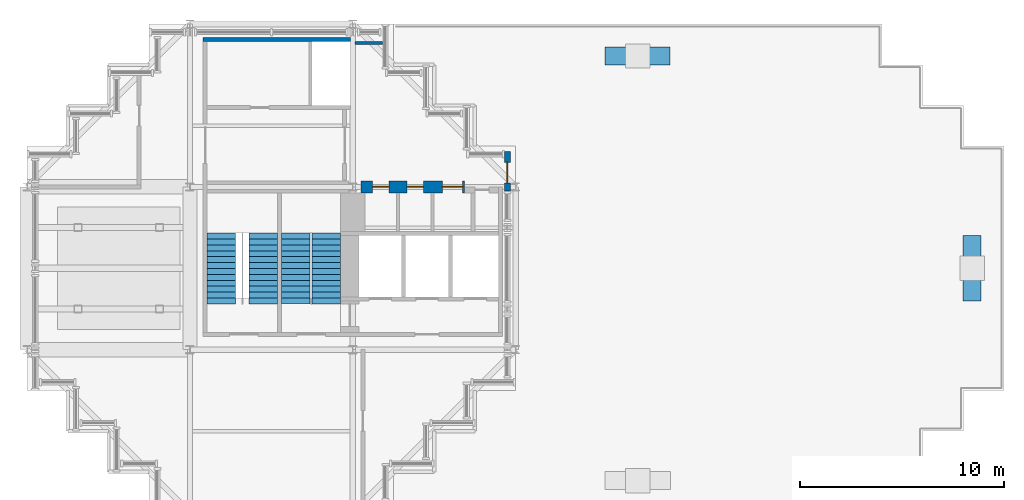
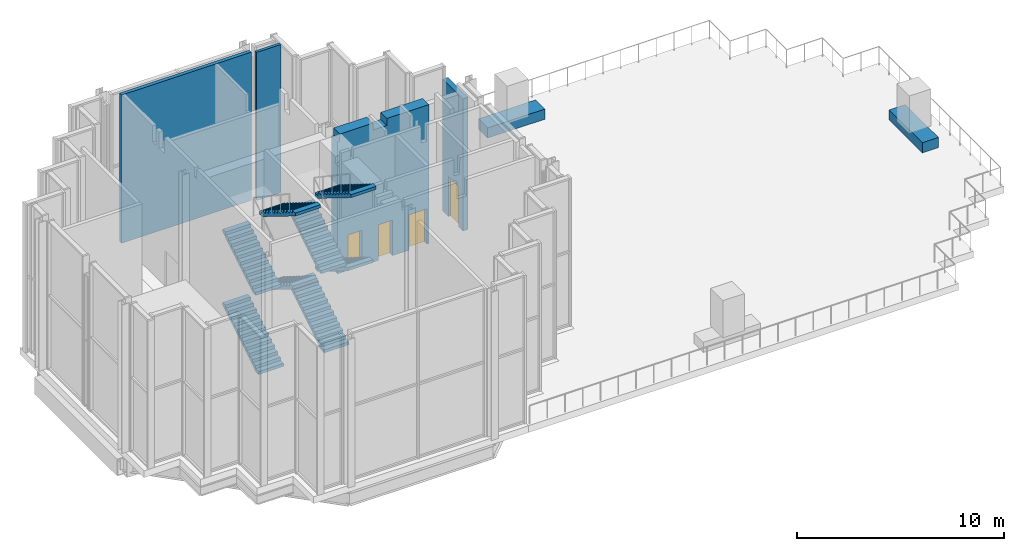
# One storey, part 13 of 15: 8 stair flights, 6 walls, 4 doors, 4 openings, 2 elements without a shape of their own.
"""IFC4 building model written with IfcOpenShell, lengths in metres."""

from ifc_helpers import new_model, si_unit, direction, frame, frame_2d, origin, place, context, subcontext, project, spatial, polyline, rectangle, outline, extrude, material, layer, layer_set, type_object, element, fill, aggregate, save


model = new_model("IFC4")

# Units and contexts
model_context = context("Model", 3, precision=1e-05, world=origin(), true_north=direction((0.0, 1.0)))
body_context = subcontext(model_context, "Body", "Model", "MODEL_VIEW")
ifc_project = project(units=[si_unit("LENGTHUNIT", "METRE"), si_unit("AREAUNIT", "SQUARE_METRE"), si_unit("VOLUMEUNIT", "CUBIC_METRE"), si_unit("PLANEANGLEUNIT", "RADIAN"), si_unit("MASSUNIT", "GRAM", prefix="KILO")], contexts=[model_context])

# Site, building, storey
site_placement = place(None, origin())
site = spatial("IfcSite", under=ifc_project, at=site_placement, CompositionType="ELEMENT")
building_placement = place(site_placement, origin())
building = spatial("IfcBuilding", under=site, at=building_placement, Name="Immortelle Media Tower", CompositionType="ELEMENT")
storey_placement = place(building_placement, frame((0.0, 0.0, 299.0)))
storey = spatial("IfcBuildingStorey", under=building, at=storey_placement, Name="L66", CompositionType="ELEMENT", Elevation=299.0)

# Wall, openings, doors
ifc_material_1 = material(Name="Fire-rated masonry blockwork", Category="masonry")
ifc_layer_1 = layer(ifc_material_1, 0.60009765625)
ifc_layer_set_1 = layer_set([ifc_layer_1], Name="Fire-rated masonry blockwork")
wall_type_1 = type_object("IfcWallType", Name="Core grid-line wall 600", PredefinedType="PARTITIONING", material=ifc_layer_set_1)
wall_1_placement = place(storey_placement, frame((16.39990234375, 16.0, 0.0), z_axis=(0.0, 0.0, 1.0), x_axis=(1.0, 0.0, 0.0)))
wall_1 = element("IfcWall", 1, at=wall_1_placement, inside=storey, type_object=wall_type_1, Name="Core grid-line wall SW", PredefinedType="PARTITIONING", context=body_context, shape_type="SweptSolid", body=[
    extrude(outline(polyline([(0.0, 0.0), (5.10009765625, 0.0), (5.10009765625, 8.2080078125), (2.75390625, 8.2080078125), (2.7529296875, 7.7939453125), (1.974853515625, 7.7939453125), (1.973876953125, 8.2080078125), (0.121337890625, 8.2080078125), (0.120361328125, 7.7939453125), (0.0, 7.7939453125), (0.0, 0.0)])), frame((0.0, 0.300048828125, 0.0), z_axis=(0.0, -1.0, 0.0), x_axis=(1.0, 0.0, 0.0)), (0.0, 0.0, 1.0), 0.60009765625),
])
opening_1_placement = place(wall_1_placement, frame((1.375, 0.0, 0.0), z_axis=(0.0, 0.0, 1.0), x_axis=(-1.0, 0.0, 0.0)))
opening_1 = element("IfcOpeningElement", 2, at=opening_1_placement, cuts=wall_1, Name="Opening L66-K008", PredefinedType="OPENING", context=body_context, shape_type="SweptSolid", body=[
    extrude(rectangle(XDim=0.800048828125, YDim=2.10009765625, at=frame_2d((0.39990234375, 1.050048828125))), frame((0.0, 0.31005859375, 0.0), z_axis=(0.0, -1.0, 0.0), x_axis=(1.0, 0.0, 0.0)), (0.0, 0.0, 1.0), 0.6201171875),
])
opening_2_placement = place(wall_1_placement, frame((3.074951171875, 0.0, 0.0), z_axis=(0.0, 0.0, 1.0), x_axis=(-1.0, 0.0, 0.0)))
opening_2 = element("IfcOpeningElement", 3, at=opening_2_placement, cuts=wall_1, Name="Opening L66-K009", PredefinedType="OPENING", context=body_context, shape_type="SweptSolid", body=[
    extrude(rectangle(XDim=0.800048828125, YDim=2.10009765625, at=frame_2d((0.39990234375, 1.050048828125))), frame((0.0, 0.31005859375, 0.0), z_axis=(0.0, -1.0, 0.0), x_axis=(1.0, 0.0, 0.0)), (0.0, 0.0, 1.0), 0.6201171875),
])
opening_3_placement = place(wall_1_placement, frame((5.0, 0.0, 0.0), z_axis=(0.0, 0.0, 1.0), x_axis=(-1.0, 0.0, 0.0)))
opening_3 = element("IfcOpeningElement", 4, at=opening_3_placement, cuts=wall_1, Name="Opening L66-K012", PredefinedType="OPENING", context=body_context, shape_type="SweptSolid", body=[
    extrude(rectangle(XDim=1.0, YDim=2.10009765625, at=frame_2d((0.5, 1.050048828125))), frame((0.0, 0.31005859375, 0.0), z_axis=(0.0, -1.0, 0.0), x_axis=(1.0, 0.0, 0.0)), (0.0, 0.0, 1.0), 0.6201171875),
])
ifc_material_2 = material(Name="Timber", Category="wood")
door_type_1 = type_object("IfcDoorType", Name="Accessible toilet door 1000 x 2100", OperationType="NOTDEFINED", PredefinedType="NOTDEFINED", material=ifc_material_2)
door_1_placement = place(opening_3_placement, origin())
door_1 = element("IfcDoor", 5, at=door_1_placement, inside=storey, type_object=door_type_1, Name="Accessible toilet L66-K012", OperationType="SINGLE_SWING_LEFT", OverallHeight=2.10009765625, OverallWidth=1.0, PredefinedType="NOTDEFINED", context=body_context, shape_type="SweptSolid", body=[
    extrude(rectangle(XDim=1.0, YDim=2.10009765625, at=frame_2d((0.5, 1.050048828125))), frame((0.0, 0.02490234375, 0.0), z_axis=(0.0, -1.0, 0.0), x_axis=(1.0, 0.0, 0.0)), (0.0, 0.0, 1.0), 0.050048828125),
])
fill(opening_3, door_1)
door_type_2 = type_object("IfcDoorType", Name="Toilet door 800 x 2100", OperationType="NOTDEFINED", PredefinedType="NOTDEFINED", material=ifc_material_2)
door_2_placement = place(opening_1_placement, origin())
door_2 = element("IfcDoor", 6, at=door_2_placement, inside=storey, type_object=door_type_2, Name="Toilet L66-K008", OperationType="SINGLE_SWING_LEFT", OverallHeight=2.10009765625, OverallWidth=0.800048828125, PredefinedType="NOTDEFINED", context=body_context, shape_type="SweptSolid", body=[
    extrude(rectangle(XDim=0.800048828125, YDim=2.10009765625, at=frame_2d((0.39990234375, 1.050048828125))), frame((0.0, 0.02490234375, 0.0), z_axis=(0.0, -1.0, 0.0), x_axis=(1.0, 0.0, 0.0)), (0.0, 0.0, 1.0), 0.050048828125),
])
fill(opening_1, door_2)
door_3_placement = place(opening_2_placement, origin())
door_3 = element("IfcDoor", 7, at=door_3_placement, inside=storey, type_object=door_type_2, Name="Toilet L66-K009", OperationType="SINGLE_SWING_RIGHT", OverallHeight=2.10009765625, OverallWidth=0.800048828125, PredefinedType="NOTDEFINED", context=body_context, shape_type="SweptSolid", body=[
    extrude(rectangle(XDim=0.800048828125, YDim=2.10009765625, at=frame_2d((0.39990234375, 1.050048828125))), frame((0.0, 0.02490234375, 0.0), z_axis=(0.0, -1.0, 0.0), x_axis=(1.0, 0.0, 0.0)), (0.0, 0.0, 1.0), 0.050048828125),
])
fill(opening_2, door_3)

# Walls
ifc_material_3 = material(Name="Fire-rated gypsum board", Category="gypsum")
ifc_layer_2 = layer(ifc_material_3, 0.02490234375)
ifc_material_4 = material(Name="Steel ASTM A653 SS Gr 50 stud frame with mineral wool", Category="steel")
ifc_layer_3 = layer(ifc_material_4, 0.10009765625)
ifc_layer_4 = layer(ifc_material_3, 0.02490234375)
ifc_layer_set_2 = layer_set([ifc_layer_2, ifc_layer_3, ifc_layer_4], Name="Steel ASTM A653 SS Gr 50 stud frame with mineral wool")
wall_type_2 = type_object("IfcWallType", Name="Core partition 150", PredefinedType="PARTITIONING", material=ifc_layer_set_2)
wall_2_placement = place(storey_placement, frame((16.10009765625, 23.074951171875, 0.0), z_axis=(0.0, 0.0, 1.0), x_axis=(1.0, 0.0, 0.0)))
element("IfcWall", 8, at=wall_2_placement, inside=storey, type_object=wall_type_2, Name="Core partition SW", PredefinedType="PARTITIONING", context=body_context, shape_type="SweptSolid", body=[
    extrude(rectangle(XDim=1.349853515625, YDim=0.14990234375, at=frame_2d((0.6748046875, 0.0))), origin(), (0.0, 0.0, 1.0), 8.75),
])
ifc_layer_5 = layer(ifc_material_3, 0.03759765625)
ifc_layer_6 = layer(ifc_material_4, 0.125)
ifc_layer_7 = layer(ifc_material_3, 0.03759765625)
ifc_layer_set_3 = layer_set([ifc_layer_5, ifc_layer_6, ifc_layer_7], Name="Steel ASTM A653 SS Gr 50 stud frame with mineral wool")
wall_type_3 = type_object("IfcWallType", Name="Core shaft wall 200", PredefinedType="PARTITIONING", material=ifc_layer_set_3)
wall_3_placement = place(storey_placement, frame((8.64990234375, 23.25, 0.0), z_axis=(0.0, 0.0, 1.0), x_axis=(1.0, 0.0, 0.0)))
element("IfcWall", 9, at=wall_3_placement, inside=storey, type_object=wall_type_3, Name="Core shaft wall SW", PredefinedType="PARTITIONING", context=body_context, shape_type="SweptSolid", body=[
    extrude(rectangle(XDim=7.25, YDim=0.199951171875, at=frame_2d((3.625, 0.0))), origin(), (0.0, 0.0, 1.0), 8.75),
])

# Wall, opening, door
ifc_material_5 = material(Name="Pale aluminium cladding panel", Category="aluminium")
ifc_layer_8 = layer(ifc_material_5, 0.030029296875)
ifc_layer_9 = layer(ifc_material_4, 0.257568359375)
ifc_material_6 = material(Name="Moisture-resistant gypsum board", Category="gypsum")
ifc_layer_10 = layer(ifc_material_6, 0.012451171875)
ifc_layer_set_4 = layer_set([ifc_layer_8, ifc_layer_9, ifc_layer_10], Name="Steel ASTM A653 SS Gr 50 stud frame with mineral wool")
wall_type_4 = type_object("IfcWallType", Name="Pale metal clad wall 300", PredefinedType="STANDARD", material=ifc_layer_set_4)
wall_4_placement = place(storey_placement, frame((23.60009765625, 15.800048828125, 0.0), z_axis=(0.0, 0.0, 1.0), x_axis=(0.0, 1.0, 0.0)))
wall_4 = element("IfcWall", 10, at=wall_4_placement, inside=storey, type_object=wall_type_4, Name="Damper hall wall L66 E 7-8", PredefinedType="STANDARD", context=body_context, shape_type="SweptSolid", body=[
    extrude(rectangle(XDim=1.949951171875, YDim=0.300048828125, at=frame_2d((0.97509765625, 0.0))), origin(), (0.0, 0.0, 1.0), 7.794921875),
])
opening_4_placement = place(wall_4_placement, frame((1.39990234375, 0.0, 0.0), z_axis=(0.0, 0.0, 1.0), x_axis=(-1.0, 0.0, 0.0)))
opening_4 = element("IfcOpeningElement", 11, at=opening_4_placement, cuts=wall_4, Name="Opening L66-E01", PredefinedType="OPENING", context=body_context, shape_type="SweptSolid", body=[
    extrude(rectangle(XDim=1.0, YDim=2.39990234375, at=frame_2d((0.5, 1.199951171875))), frame((0.0, 0.159912109375, 0.0), z_axis=(0.0, -1.0, 0.0), x_axis=(1.0, 0.0, 0.0)), (0.0, 0.0, 1.0), 0.320068359375),
])
ifc_material_7 = material(Name="Aluminium frame, double glazed 6-16-6 low-e", Category="aluminium")
door_type_3 = type_object("IfcDoorType", Name="Terrace door 1000", OperationType="NOTDEFINED", PredefinedType="DOOR", material=ifc_material_7)
door_4_placement = place(opening_4_placement, origin())
door_4 = element("IfcDoor", 12, at=door_4_placement, inside=storey, type_object=door_type_3, Name="Terrace door L66-E01", OperationType="SINGLE_SWING_RIGHT", OverallHeight=2.39990234375, OverallWidth=1.0, PredefinedType="DOOR", context=body_context, shape_type="SweptSolid", body=[
    extrude(rectangle(XDim=1.0, YDim=2.39990234375, at=frame_2d((0.5, 1.199951171875))), frame((0.0, 0.02490234375, 0.0), z_axis=(0.0, -1.0, 0.0), x_axis=(1.0, 0.0, 0.0)), (0.0, 0.0, 1.0), 0.050048828125),
])
fill(opening_4, door_4)

# Walls
ifc_layer_11 = layer(ifc_material_5, 0.0029296875)
ifc_material_8 = material(Name="Steel ASTM A572 Gr 50 planter shell", Category="steel")
ifc_layer_12 = layer(ifc_material_8, 0.011962890625)
ifc_material_9 = material(Name="Planting substrate", Category="soil")
ifc_layer_13 = layer(ifc_material_9, 0.873046875)
ifc_layer_14 = layer(ifc_material_8, 0.011962890625)
ifc_layer_set_5 = layer_set([ifc_layer_11, ifc_layer_12, ifc_layer_13, ifc_layer_14], Name="Steel ASTM A572 Gr 50 planter shell")
wall_type_5 = type_object("IfcWallType", Name="Planter wall 900", PredefinedType="SOLIDWALL", material=ifc_layer_set_5)
for number, where, z_axis, x_axis, name in (
    (13, (28.39990234375, 22.429931640625, 0.0), (0.0, 0.0, 1.0), (1.0, 0.0, 0.0), "Terrace planter L66 SE0.0-1"),
    (14, (46.429931640625, 13.60009765625, 0.0), (0.0, 0.0, 1.0), (0.0, -1.0, 0.0), "Terrace planter L66 SE0.0-2"),
):
    element("IfcWall", number, at=place(storey_placement, frame(where, z_axis=z_axis, x_axis=x_axis)), inside=storey, type_object=wall_type_5, Name=name, PredefinedType="SOLIDWALL", context=body_context, shape_type="SweptSolid", body=[
        extrude(rectangle(XDim=3.2001953125, YDim=0.89990234375, at=frame_2d((1.60009765625, 0.0))), origin(), (0.0, 0.0, 1.0), 0.60009765625),
    ])

# Stair, stair flights
ifc_material_10 = material(Name="Steel ASTM A992 Gr 50", Category="steel")
stair_type = type_object("IfcStairType", Name="Stair with flights", PredefinedType="DOUBLE_RETURN_STAIR", material=ifc_material_10)
stair_1_placement = place(storey_placement, origin())
stair_1 = element("IfcStair", 15, at=stair_1_placement, inside=storey, type_object=stair_type, Name="Exit stair SW1", PredefinedType="DOUBLE_RETURN_STAIR")
stair_flight_type = type_object("IfcStairFlightType", Name="Stair flight 1400", PredefinedType="STRAIGHT", material=ifc_material_10)
stair_flight_1_placement = place(storey_placement, frame((9.550048828125, 10.25, 0.0), z_axis=(0.0, 0.0, 1.0), x_axis=(0.0, 1.0, 0.0)))
stair_flight_1 = element("IfcStairFlight", 16, at=stair_flight_1_placement, type_object=stair_flight_type, Name="ST SW1 flight 1", NumberOfRisers=13, NumberOfTreads=12, PredefinedType="STRAIGHT", RiserHeight=0.18, TreadLength=0.29, context=body_context, shape_type="SweptSolid", body=[
    extrude(outline(polyline([(0.0, 0.0), (0.0, 0.179931640625), (0.2900390625, 0.179931640625), (0.2900390625, 0.360107421875), (0.580078125, 0.360107421875), (0.580078125, 0.5400390625), (0.8701171875, 0.5400390625), (0.8701171875, 0.719970703125), (1.159912109375, 0.719970703125), (1.159912109375, 0.89990234375), (1.449951171875, 0.89990234375), (1.449951171875, 1.080078125), (1.739990234375, 1.080078125), (1.739990234375, 1.260009765625), (2.030029296875, 1.260009765625), (2.030029296875, 1.43994140625), (2.320068359375, 1.43994140625), (2.320068359375, 1.6201171875), (2.610107421875, 1.6201171875), (2.610107421875, 1.800048828125), (2.89990234375, 1.800048828125), (2.89990234375, 1.97998046875), (3.18994140625, 1.97998046875), (3.18994140625, 2.159912109375), (3.47998046875, 2.159912109375), (3.47998046875, 2.340087890625), (3.47998046875, 1.983642578125), (0.2841796875, 0.0), (0.0, 0.0)])), frame((0.0, 0.699951171875, 0.0), z_axis=(0.0, -1.0, 0.0), x_axis=(1.0, 0.0, 0.0)), (0.0, 0.0, 1.0), 1.39990234375),
])
stair_flight_2_placement = place(storey_placement, frame((11.60009765625, 13.72998046875, 2.340087890625), z_axis=(0.0, 0.0, 1.0), x_axis=(0.0, -1.0, 0.0)))
stair_flight_2 = element("IfcStairFlight", 17, at=stair_flight_2_placement, type_object=stair_flight_type, Name="ST SW1 flight 2", NumberOfRisers=12, NumberOfTreads=11, PredefinedType="STRAIGHT", RiserHeight=0.18, TreadLength=0.29, context=body_context, shape_type="SweptSolid", body=[
    extrude(outline(polyline([(0.0, 0.0), (0.0, 0.179931640625), (0.2900390625, 0.179931640625), (0.2900390625, 0.360107421875), (0.580078125, 0.360107421875), (0.580078125, 0.5400390625), (0.8701171875, 0.5400390625), (0.8701171875, 0.719970703125), (1.159912109375, 0.719970703125), (1.159912109375, 0.89990234375), (1.449951171875, 0.89990234375), (1.449951171875, 1.080078125), (1.739990234375, 1.080078125), (1.739990234375, 1.260009765625), (2.030029296875, 1.260009765625), (2.030029296875, 1.43994140625), (2.320068359375, 1.43994140625), (2.320068359375, 1.6201171875), (2.610107421875, 1.6201171875), (2.610107421875, 1.800048828125), (2.89990234375, 1.800048828125), (2.89990234375, 1.97998046875), (3.18994140625, 1.97998046875), (3.18994140625, 2.159912109375), (3.18994140625, 1.803466796875), (0.2841796875, 0.0), (0.0, 0.0)])), frame((0.0, 0.699951171875, 0.0), z_axis=(0.0, -1.0, 0.0), x_axis=(1.0, 0.0, 0.0)), (0.0, 0.0, 1.0), 1.39990234375),
])
stair_flight_3_placement = place(storey_placement, frame((9.550048828125, 10.5400390625, 4.5), z_axis=(0.0, 0.0, 1.0), x_axis=(0.0, 1.0, 0.0)))
stair_flight_3 = element("IfcStairFlight", 18, at=stair_flight_3_placement, type_object=stair_flight_type, Name="ST SW1 flight 3", NumberOfRisers=12, NumberOfTreads=11, PredefinedType="STRAIGHT", RiserHeight=0.18, TreadLength=0.29, context=body_context, shape_type="SweptSolid", body=[
    extrude(outline(polyline([(0.0, 0.0), (0.0, 0.179931640625), (0.2900390625, 0.179931640625), (0.2900390625, 0.360107421875), (0.580078125, 0.360107421875), (0.580078125, 0.5400390625), (0.8701171875, 0.5400390625), (0.8701171875, 0.719970703125), (1.159912109375, 0.719970703125), (1.159912109375, 0.89990234375), (1.449951171875, 0.89990234375), (1.449951171875, 1.080078125), (1.739990234375, 1.080078125), (1.739990234375, 1.260009765625), (2.030029296875, 1.260009765625), (2.030029296875, 1.43994140625), (2.320068359375, 1.43994140625), (2.320068359375, 1.6201171875), (2.610107421875, 1.6201171875), (2.610107421875, 1.800048828125), (2.89990234375, 1.800048828125), (2.89990234375, 1.97998046875), (3.18994140625, 1.97998046875), (3.18994140625, 2.159912109375), (3.18994140625, 1.803466796875), (0.2841796875, 0.0), (0.0, 0.0)])), frame((0.0, 0.699951171875, 0.0), z_axis=(0.0, -1.0, 0.0), x_axis=(1.0, 0.0, 0.0)), (0.0, 0.0, 1.0), 1.39990234375),
])
stair_flight_4_placement = place(storey_placement, frame((11.60009765625, 13.72998046875, 6.659912109375), z_axis=(0.0, 0.0, 1.0), x_axis=(0.0, -1.0, 0.0)))
stair_flight_4 = element("IfcStairFlight", 19, at=stair_flight_4_placement, type_object=stair_flight_type, Name="ST SW1 flight 4", NumberOfRisers=13, NumberOfTreads=12, PredefinedType="STRAIGHT", RiserHeight=0.18, TreadLength=0.29, context=body_context, shape_type="SweptSolid", body=[
    extrude(outline(polyline([(0.0, 0.0), (0.0, 0.179931640625), (0.2900390625, 0.179931640625), (0.2900390625, 0.360107421875), (0.580078125, 0.360107421875), (0.580078125, 0.5400390625), (0.8701171875, 0.5400390625), (0.8701171875, 0.719970703125), (1.159912109375, 0.719970703125), (1.159912109375, 0.89990234375), (1.449951171875, 0.89990234375), (1.449951171875, 1.080078125), (1.739990234375, 1.080078125), (1.739990234375, 1.260009765625), (2.030029296875, 1.260009765625), (2.030029296875, 1.43994140625), (2.320068359375, 1.43994140625), (2.320068359375, 1.6201171875), (2.610107421875, 1.6201171875), (2.610107421875, 1.800048828125), (2.89990234375, 1.800048828125), (2.89990234375, 1.97998046875), (3.18994140625, 1.97998046875), (3.18994140625, 2.159912109375), (3.47998046875, 2.159912109375), (3.47998046875, 2.340087890625), (3.47998046875, 1.983642578125), (0.2841796875, 0.0), (0.0, 0.0)])), frame((0.0, 0.699951171875, 0.0), z_axis=(0.0, -1.0, 0.0), x_axis=(1.0, 0.0, 0.0)), (0.0, 0.0, 1.0), 1.39990234375),
])
aggregate(stair_1, [stair_flight_1, stair_flight_2, stair_flight_3, stair_flight_4])

stair_2_placement = place(storey_placement, origin())
stair_2 = element("IfcStair", 20, at=stair_2_placement, inside=storey, type_object=stair_type, Name="Exit stair SW2", PredefinedType="DOUBLE_RETURN_STAIR")
stair_flight_5_placement = place(storey_placement, frame((13.199951171875, 10.25, 0.0), z_axis=(0.0, 0.0, 1.0), x_axis=(0.0, 1.0, 0.0)))
stair_flight_5 = element("IfcStairFlight", 21, at=stair_flight_5_placement, type_object=stair_flight_type, Name="ST SW2 flight 1", NumberOfRisers=13, NumberOfTreads=12, PredefinedType="STRAIGHT", RiserHeight=0.18, TreadLength=0.29, context=body_context, shape_type="SweptSolid", body=[
    extrude(outline(polyline([(0.0, 0.0), (0.0, 0.179931640625), (0.2900390625, 0.179931640625), (0.2900390625, 0.360107421875), (0.580078125, 0.360107421875), (0.580078125, 0.5400390625), (0.8701171875, 0.5400390625), (0.8701171875, 0.719970703125), (1.159912109375, 0.719970703125), (1.159912109375, 0.89990234375), (1.449951171875, 0.89990234375), (1.449951171875, 1.080078125), (1.739990234375, 1.080078125), (1.739990234375, 1.260009765625), (2.030029296875, 1.260009765625), (2.030029296875, 1.43994140625), (2.320068359375, 1.43994140625), (2.320068359375, 1.6201171875), (2.610107421875, 1.6201171875), (2.610107421875, 1.800048828125), (2.89990234375, 1.800048828125), (2.89990234375, 1.97998046875), (3.18994140625, 1.97998046875), (3.18994140625, 2.159912109375), (3.47998046875, 2.159912109375), (3.47998046875, 2.340087890625), (3.47998046875, 1.983642578125), (0.2841796875, 0.0), (0.0, 0.0)])), frame((0.0, 0.699951171875, 0.0), z_axis=(0.0, -1.0, 0.0), x_axis=(1.0, 0.0, 0.0)), (0.0, 0.0, 1.0), 1.39990234375),
])
stair_flight_6_placement = place(storey_placement, frame((14.699951171875, 13.72998046875, 2.340087890625), z_axis=(0.0, 0.0, 1.0), x_axis=(0.0, -1.0, 0.0)))
stair_flight_6 = element("IfcStairFlight", 22, at=stair_flight_6_placement, type_object=stair_flight_type, Name="ST SW2 flight 2", NumberOfRisers=12, NumberOfTreads=11, PredefinedType="STRAIGHT", RiserHeight=0.18, TreadLength=0.29, context=body_context, shape_type="SweptSolid", body=[
    extrude(outline(polyline([(0.0, 0.0), (0.0, 0.179931640625), (0.2900390625, 0.179931640625), (0.2900390625, 0.360107421875), (0.580078125, 0.360107421875), (0.580078125, 0.5400390625), (0.8701171875, 0.5400390625), (0.8701171875, 0.719970703125), (1.159912109375, 0.719970703125), (1.159912109375, 0.89990234375), (1.449951171875, 0.89990234375), (1.449951171875, 1.080078125), (1.739990234375, 1.080078125), (1.739990234375, 1.260009765625), (2.030029296875, 1.260009765625), (2.030029296875, 1.43994140625), (2.320068359375, 1.43994140625), (2.320068359375, 1.6201171875), (2.610107421875, 1.6201171875), (2.610107421875, 1.800048828125), (2.89990234375, 1.800048828125), (2.89990234375, 1.97998046875), (3.18994140625, 1.97998046875), (3.18994140625, 2.159912109375), (3.18994140625, 1.803466796875), (0.2841796875, 0.0), (0.0, 0.0)])), frame((0.0, 0.699951171875, 0.0), z_axis=(0.0, -1.0, 0.0), x_axis=(1.0, 0.0, 0.0)), (0.0, 0.0, 1.0), 1.39990234375),
])
stair_flight_7_placement = place(storey_placement, frame((13.199951171875, 10.5400390625, 4.5), z_axis=(0.0, 0.0, 1.0), x_axis=(0.0, 1.0, 0.0)))
stair_flight_7 = element("IfcStairFlight", 23, at=stair_flight_7_placement, type_object=stair_flight_type, Name="ST SW2 flight 3", NumberOfRisers=12, NumberOfTreads=11, PredefinedType="STRAIGHT", RiserHeight=0.18, TreadLength=0.29, context=body_context, shape_type="SweptSolid", body=[
    extrude(outline(polyline([(0.0, 0.0), (0.0, 0.179931640625), (0.2900390625, 0.179931640625), (0.2900390625, 0.360107421875), (0.580078125, 0.360107421875), (0.580078125, 0.5400390625), (0.8701171875, 0.5400390625), (0.8701171875, 0.719970703125), (1.159912109375, 0.719970703125), (1.159912109375, 0.89990234375), (1.449951171875, 0.89990234375), (1.449951171875, 1.080078125), (1.739990234375, 1.080078125), (1.739990234375, 1.260009765625), (2.030029296875, 1.260009765625), (2.030029296875, 1.43994140625), (2.320068359375, 1.43994140625), (2.320068359375, 1.6201171875), (2.610107421875, 1.6201171875), (2.610107421875, 1.800048828125), (2.89990234375, 1.800048828125), (2.89990234375, 1.97998046875), (3.18994140625, 1.97998046875), (3.18994140625, 2.159912109375), (3.18994140625, 1.803466796875), (0.2841796875, 0.0), (0.0, 0.0)])), frame((0.0, 0.699951171875, 0.0), z_axis=(0.0, -1.0, 0.0), x_axis=(1.0, 0.0, 0.0)), (0.0, 0.0, 1.0), 1.39990234375),
])
stair_flight_8_placement = place(storey_placement, frame((14.699951171875, 13.72998046875, 6.659912109375), z_axis=(0.0, 0.0, 1.0), x_axis=(0.0, -1.0, 0.0)))
stair_flight_8 = element("IfcStairFlight", 24, at=stair_flight_8_placement, type_object=stair_flight_type, Name="ST SW2 flight 4", NumberOfRisers=13, NumberOfTreads=12, PredefinedType="STRAIGHT", RiserHeight=0.18, TreadLength=0.29, context=body_context, shape_type="SweptSolid", body=[
    extrude(outline(polyline([(0.0, 0.0), (0.0, 0.179931640625), (0.2900390625, 0.179931640625), (0.2900390625, 0.360107421875), (0.580078125, 0.360107421875), (0.580078125, 0.5400390625), (0.8701171875, 0.5400390625), (0.8701171875, 0.719970703125), (1.159912109375, 0.719970703125), (1.159912109375, 0.89990234375), (1.449951171875, 0.89990234375), (1.449951171875, 1.080078125), (1.739990234375, 1.080078125), (1.739990234375, 1.260009765625), (2.030029296875, 1.260009765625), (2.030029296875, 1.43994140625), (2.320068359375, 1.43994140625), (2.320068359375, 1.6201171875), (2.610107421875, 1.6201171875), (2.610107421875, 1.800048828125), (2.89990234375, 1.800048828125), (2.89990234375, 1.97998046875), (3.18994140625, 1.97998046875), (3.18994140625, 2.159912109375), (3.47998046875, 2.159912109375), (3.47998046875, 2.340087890625), (3.47998046875, 1.983642578125), (0.2841796875, 0.0), (0.0, 0.0)])), frame((0.0, 0.699951171875, 0.0), z_axis=(0.0, -1.0, 0.0), x_axis=(1.0, 0.0, 0.0)), (0.0, 0.0, 1.0), 1.39990234375),
])
aggregate(stair_2, [stair_flight_5, stair_flight_6, stair_flight_7, stair_flight_8])

save(model, "model.ifc")
